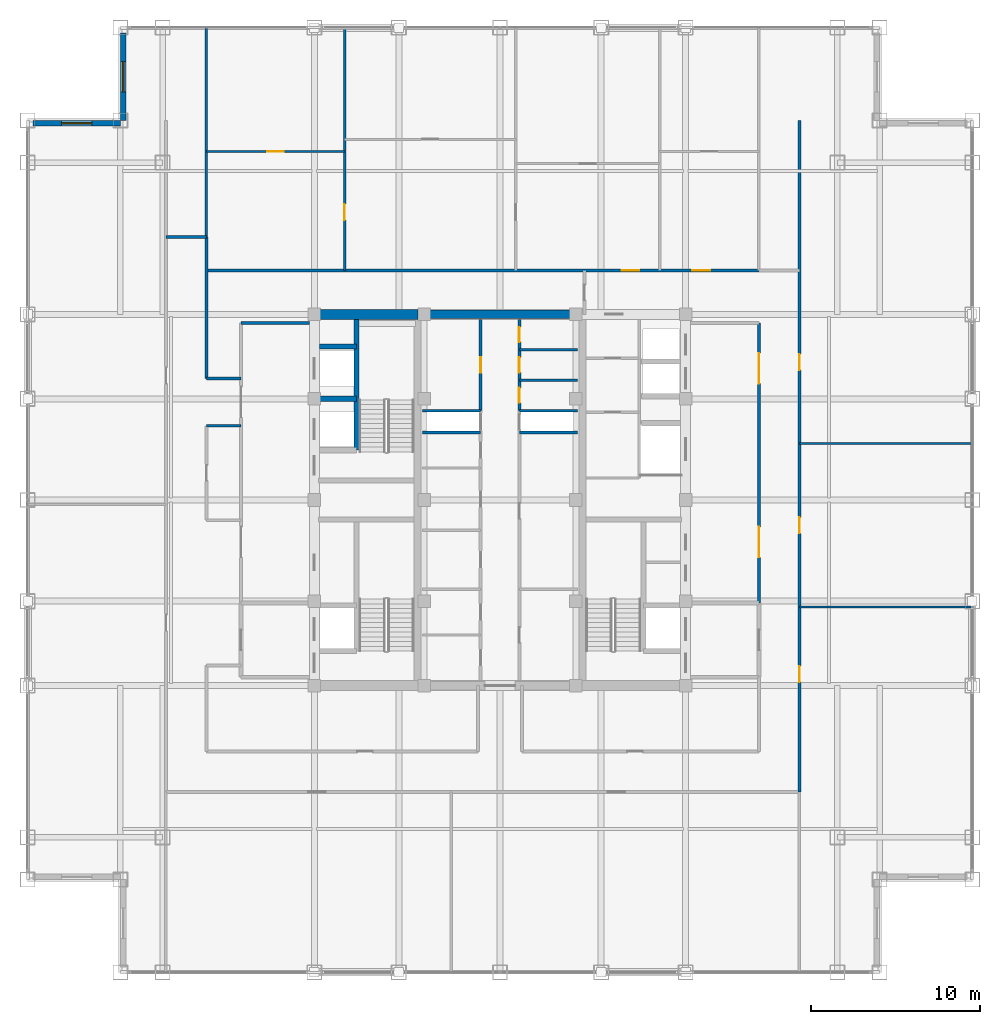
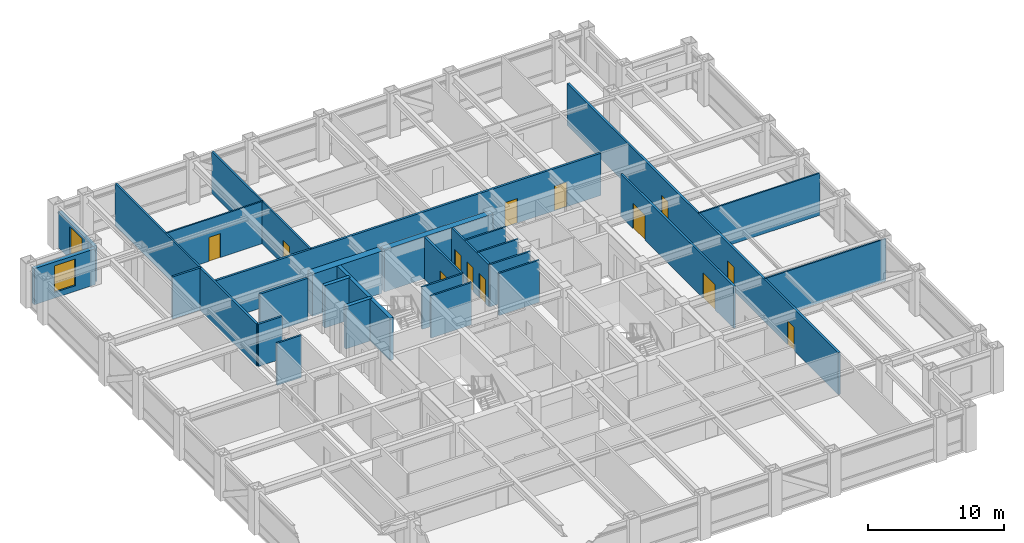
# One storey, part 20 of 22: 28 walls, 13 doors, 2 windows, 15 openings.
"""IFC4 building model written with IfcOpenShell, lengths in metres."""

from ifc_helpers import new_model, si_unit, direction, frame, frame_2d, origin, place, context, subcontext, project, spatial, rectangle, extrude, source, transform, mapped, material, layer, layer_set, type_object, element, fill, save


model = new_model("IFC4")

# Units and contexts
model_context = context("Model", 3, precision=1e-05, world=origin(), true_north=direction((0.0, 1.0)))
body_context = subcontext(model_context, "Body", "Model", "MODEL_VIEW")
ifc_project = project(units=[si_unit("LENGTHUNIT", "METRE"), si_unit("AREAUNIT", "SQUARE_METRE"), si_unit("VOLUMEUNIT", "CUBIC_METRE"), si_unit("PLANEANGLEUNIT", "RADIAN"), si_unit("MASSUNIT", "GRAM", prefix="KILO")], contexts=[model_context])

# Site, building, storey
site_placement = place(None, origin())
site = spatial("IfcSite", under=ifc_project, at=site_placement, CompositionType="ELEMENT")
building_placement = place(site_placement, origin())
building = spatial("IfcBuilding", under=site, at=building_placement, Name="Khorayat Bourse Tower", CompositionType="ELEMENT")
storey_placement = place(building_placement, frame((0.0, 0.0, 305.5)))
storey = spatial("IfcBuildingStorey", under=building, at=storey_placement, Name="L72", CompositionType="ELEMENT", Elevation=305.5)

# Walls
ifc_material_1 = material(Name="Concrete C60/75", Category="concrete")
ifc_layer_1 = layer(ifc_material_1, 0.60009765625)
ifc_layer_set_1 = layer_set([ifc_layer_1], Name="Concrete C60/75")
wall_type_1 = type_object("IfcWallType", Name="WAL-CORE-600", PredefinedType="SHEAR", material=ifc_layer_set_1)
shared_shape_1 = source(origin(), body_context, "Body", "SweptSolid", [
    extrude(rectangle(XDim=5.89990234375, YDim=0.60009765625, at=frame_2d((2.949951171875, 0.0))), origin(), (0.0, 0.0, 1.0), 3.780029296875),
])
wall_1_placement = place(storey_placement, frame((-10.75, 11.0, 0.0), z_axis=(0.0, 0.0, 1.0), x_axis=(1.0, 0.0, 0.0)))
element("IfcWall", 1, at=wall_1_placement, inside=storey, type_object=wall_type_1, Name="L72 Core Shear Wall PIER-WN", PredefinedType="SHEAR", context=body_context, shape_type="MappedRepresentation", body=[
    mapped(shared_shape_1, transform((0.0, 0.0, 0.0), scale=1.0)),
])
ifc_material_2 = material(Name="Concrete C52/65", Category="concrete")
ifc_layer_2 = layer(ifc_material_2, 0.5)
ifc_layer_set_2 = layer_set([ifc_layer_2], Name="Concrete C52/65")
wall_type_2 = type_object("IfcWallType", Name="WAL-CORE-500", PredefinedType="SHEAR", material=ifc_layer_set_2)
shared_shape_2 = source(origin(), body_context, "Body", "SweptSolid", [
    extrude(rectangle(XDim=9.2001953125, YDim=0.5, at=frame_2d((4.60009765625, 0.0))), origin(), (0.0, 0.0, 1.0), 3.780029296875),
])
wall_2_placement = place(storey_placement, frame((-4.60009765625, 11.0, 0.0), z_axis=(0.0, 0.0, 1.0), x_axis=(1.0, 0.0, 0.0)))
element("IfcWall", 2, at=wall_2_placement, inside=storey, type_object=wall_type_2, Name="L72 Core Shear Wall CORE-N", PredefinedType="SHEAR", context=body_context, shape_type="MappedRepresentation", body=[
    mapped(shared_shape_2, transform((0.0, 0.0, 0.0), scale=1.0)),
])

# Wall, opening, window
ifc_material_3 = material(Name="Precast concrete C45/55", Category="concrete")
ifc_layer_3 = layer(ifc_material_3, 0.320068359375)
ifc_layer_set_3 = layer_set([ifc_layer_3], Name="Precast concrete C45/55")
wall_type_3 = type_object("IfcWallType", Name="WAL-EXT-STONE-320", PredefinedType="STANDARD", material=ifc_layer_set_3)
shared_shape_3 = source(origin(), body_context, "Body", "SweptSolid", [
    extrude(rectangle(XDim=5.179931640625, YDim=0.320068359375, at=frame_2d((2.58984375, 0.0))), origin(), (0.0, 0.0, 1.0), 3.23095703125),
])
wall_3_placement = place(storey_placement, frame((-22.340087890625, 22.5, 0.0), z_axis=(0.0, 0.0, 1.0), x_axis=(0.0, 1.0, 0.0)))
wall_3 = element("IfcWall", 3, at=wall_3_placement, inside=storey, type_object=wall_type_3, Name="L72 Re-Entrant Notch Limestone Wall NW-V", PredefinedType="STANDARD", context=body_context, shape_type="MappedRepresentation", body=[
    mapped(shared_shape_3, transform((0.0, 0.0, 0.0), scale=1.0)),
])
shared_shape_4 = source(origin(), body_context, "Body", "SweptSolid", [
    extrude(rectangle(XDim=1.800048828125, YDim=2.39990234375, at=frame_2d((0.89990234375, 1.199951171875))), frame((0.0, 0.169921875, 0.0), z_axis=(0.0, -1.0, 0.0), x_axis=(1.0, 0.0, 0.0)), (0.0, 0.0, 1.0), 0.340087890625),
])
opening_1_placement = place(wall_3_placement, frame((1.68994140625, 0.0, 0.5)))
opening_1 = element("IfcOpeningElement", 4, at=opening_1_placement, cuts=wall_3, Name="Opening WN-04", PredefinedType="OPENING", context=body_context, shape_type="MappedRepresentation", body=[
    mapped(shared_shape_4, transform((0.0, 0.0, 0.0), scale=1.0)),
])
ifc_material_4 = material(Name="Low-E acoustic laminated double glazing", Category="glass")
window_type = type_object("IfcWindowType", Name="WIN-NOTCH-1800x2400", PartitioningType="SINGLE_PANEL", PredefinedType="WINDOW", material=ifc_material_4)
shared_shape_5 = source(origin(), body_context, "Body", "SweptSolid", [
    extrude(rectangle(XDim=1.800048828125, YDim=2.39990234375, at=frame_2d((0.89990234375, 1.199951171875))), frame((0.0, 0.030029296875, 0.0), z_axis=(0.0, -1.0, 0.0), x_axis=(1.0, 0.0, 0.0)), (0.0, 0.0, 1.0), 0.06005859375),
])
window_1_placement = place(opening_1_placement, origin())
window_1 = element("IfcWindow", 5, at=window_1_placement, inside=storey, type_object=window_type, Name="L72 Facade Window 1", OverallHeight=2.39990234375, OverallWidth=1.800048828125, PartitioningType="SINGLE_PANEL", PredefinedType="WINDOW", context=body_context, shape_type="MappedRepresentation", body=[
    mapped(shared_shape_5, transform((0.0, 0.0, 0.0), scale=1.0)),
])
fill(opening_1, window_1)

wall_4_placement = place(storey_placement, frame((-22.5, 22.340087890625, 0.0), z_axis=(0.0, 0.0, 1.0), x_axis=(-1.0, 0.0, 0.0)))
wall_4 = element("IfcWall", 6, at=wall_4_placement, inside=storey, type_object=wall_type_3, Name="L72 Re-Entrant Notch Limestone Wall NW-H", PredefinedType="STANDARD", context=body_context, shape_type="MappedRepresentation", body=[
    mapped(shared_shape_3, transform((0.0, 0.0, 0.0), scale=1.0)),
])
opening_2_placement = place(wall_4_placement, frame((1.68994140625, 0.0, 0.5)))
opening_2 = element("IfcOpeningElement", 7, at=opening_2_placement, cuts=wall_4, Name="Opening WN-04", PredefinedType="OPENING", context=body_context, shape_type="MappedRepresentation", body=[
    mapped(shared_shape_4, transform((0.0, 0.0, 0.0), scale=1.0)),
])
window_2_placement = place(opening_2_placement, origin())
window_2 = element("IfcWindow", 8, at=window_2_placement, inside=storey, type_object=window_type, Name="L72 Facade Window 1", OverallHeight=2.39990234375, OverallWidth=1.800048828125, PartitioningType="SINGLE_PANEL", PredefinedType="WINDOW", context=body_context, shape_type="MappedRepresentation", body=[
    mapped(shared_shape_5, transform((0.0, 0.0, 0.0), scale=1.0)),
])
fill(opening_2, window_2)

# Walls
ifc_material_5 = material(Name="Concrete C50/60", Category="concrete")
ifc_layer_4 = layer(ifc_material_5, 0.300048828125)
ifc_layer_set_4 = layer_set([ifc_layer_4], Name="Concrete C50/60")
wall_type_4 = type_object("IfcWallType", Name="WAL-SHAFT-300", PredefinedType="SHEAR", material=ifc_layer_set_4)
shared_shape_6 = source(origin(), body_context, "Body", "SweptSolid", [
    extrude(rectangle(XDim=2.199951171875, YDim=0.300048828125, at=frame_2d((1.10009765625, 0.0))), origin(), (0.0, 0.0, 1.0), 3.780029296875),
])
for number, where, z_axis, x_axis, name in (
    (9, (-10.699951171875, 6.0, 0.0), (0.0, 0.0, 1.0), (1.0, 0.0, 0.0), "L72 Partition WAL-L72-WPIER-H12"),
    (10, (-10.699951171875, 9.10009765625, 0.0), (0.0, 0.0, 1.0), (1.0, 0.0, 0.0), "L72 Partition WAL-L72-WPIER-H2N"),
):
    element("IfcWall", number, at=place(storey_placement, frame(where, z_axis=z_axis, x_axis=x_axis)), inside=storey, type_object=wall_type_4, Name=name, PredefinedType="SHEAR", context=body_context, shape_type="MappedRepresentation", body=[
        mapped(shared_shape_6, transform((0.0, 0.0, 0.0), scale=1.0)),
    ])
shared_shape_7 = source(origin(), body_context, "Body", "SweptSolid", [
    extrude(rectangle(XDim=7.75, YDim=0.300048828125, at=frame_2d((3.875, 0.0))), origin(), (0.0, 0.0, 1.0), 3.780029296875),
])
wall_5_placement = place(storey_placement, frame((-8.5, 2.949951171875, 0.0), z_axis=(0.0, 0.0, 1.0), x_axis=(0.0, 1.0, 0.0)))
element("IfcWall", 11, at=wall_5_placement, inside=storey, type_object=wall_type_4, Name="L72 Partition WAL-L72-WPIER-ST2S", PredefinedType="SHEAR", context=body_context, shape_type="MappedRepresentation", body=[
    mapped(shared_shape_7, transform((0.0, 0.0, 0.0), scale=1.0)),
])
ifc_material_6 = material(Name="Gypsum plasterboard acoustic stud wall")
ifc_layer_5 = layer(ifc_material_6, 0.179931640625)
ifc_layer_set_5 = layer_set([ifc_layer_5], Name="Gypsum plasterboard acoustic stud wall")
wall_type_5 = type_object("IfcWallType", Name="WAL-PART-CORR-180", PredefinedType="PARTITIONING", material=ifc_layer_set_5)
shared_shape_8 = source(origin(), body_context, "Body", "SweptSolid", [
    extrude(rectangle(XDim=4.050048828125, YDim=0.179931640625, at=frame_2d((2.02490234375, 0.0))), origin(), (0.0, 0.0, 1.0), 3.780029296875),
])
wall_6_placement = place(storey_placement, frame((-15.35009765625, 10.5, 0.0), z_axis=(0.0, 0.0, 1.0), x_axis=(1.0, 0.0, 0.0)))
element("IfcWall", 12, at=wall_6_placement, inside=storey, type_object=wall_type_5, Name="L72 Partition WAL-L72-WLOB-N", PredefinedType="PARTITIONING", context=body_context, shape_type="MappedRepresentation", body=[
    mapped(shared_shape_8, transform((0.0, 0.0, 0.0), scale=1.0)),
])

# Wall, openings, doors
shared_shape_9 = source(origin(), body_context, "Body", "SweptSolid", [
    extrude(rectangle(XDim=16.60009765625, YDim=0.179931640625, at=frame_2d((8.300048828125, 0.0))), origin(), (0.0, 0.0, 1.0), 3.780029296875),
])
wall_7_placement = place(storey_placement, frame((15.35009765625, -6.10009765625, 0.0), z_axis=(0.0, 0.0, 1.0), x_axis=(0.0, 1.0, 0.0)))
wall_7 = element("IfcWall", 13, at=wall_7_placement, inside=storey, type_object=wall_type_5, Name="L72 Partition WAL-L72-ELOB-E", PredefinedType="PARTITIONING", context=body_context, shape_type="MappedRepresentation", body=[
    mapped(shared_shape_9, transform((0.0, 0.0, 0.0), scale=1.0)),
])
shared_shape_10 = source(origin(), body_context, "Body", "SweptSolid", [
    extrude(rectangle(XDim=1.800048828125, YDim=2.25, at=frame_2d((0.89990234375, 1.125))), frame((0.0, 0.099853515625, 0.0), z_axis=(0.0, -1.0, 0.0), x_axis=(1.0, 0.0, 0.0)), (0.0, 0.0, 1.0), 0.199951171875),
])
opening_3_placement = place(wall_7_placement, frame((2.699951171875, 0.0, 0.0)))
opening_3 = element("IfcOpeningElement", 14, at=opening_3_placement, cuts=wall_7, Name="Opening DI-03", PredefinedType="OPENING", context=body_context, shape_type="MappedRepresentation", body=[
    mapped(shared_shape_10, transform((0.0, 0.0, 0.0), scale=1.0)),
])
opening_4_placement = place(wall_7_placement, frame((13.0, 0.0, 0.0)))
opening_4 = element("IfcOpeningElement", 15, at=opening_4_placement, cuts=wall_7, Name="Opening DI-03", PredefinedType="OPENING", context=body_context, shape_type="MappedRepresentation", body=[
    mapped(shared_shape_10, transform((0.0, 0.0, 0.0), scale=1.0)),
])
ifc_material_7 = material(Name="Fire-rated hardwood vision-panel double leaf", Category="wood")
door_type_1 = type_object("IfcDoorType", Name="DR-INT-CORR-1800", OperationType="NOTDEFINED", PredefinedType="DOOR", material=ifc_material_7)
shared_shape_11 = source(origin(), body_context, "Body", "SweptSolid", [
    extrude(rectangle(XDim=1.800048828125, YDim=2.25, at=frame_2d((0.89990234375, 1.125))), frame((0.0, 0.02490234375, 0.0), z_axis=(0.0, -1.0, 0.0), x_axis=(1.0, 0.0, 0.0)), (0.0, 0.0, 1.0), 0.050048828125),
])
door_1_placement = place(opening_3_placement, origin())
door_1 = element("IfcDoor", 16, at=door_1_placement, inside=storey, type_object=door_type_1, Name="L72 East Core Lobby South Door", OperationType="SINGLE_SWING_RIGHT", OverallHeight=2.25, OverallWidth=1.800048828125, PredefinedType="DOOR", context=body_context, shape_type="MappedRepresentation", body=[
    mapped(shared_shape_11, transform((0.0, 0.0, 0.0), scale=1.0)),
])
fill(opening_3, door_1)
door_2_placement = place(opening_4_placement, origin())
door_2 = element("IfcDoor", 17, at=door_2_placement, inside=storey, type_object=door_type_1, Name="L72 East Core Lobby North Door", OperationType="SINGLE_SWING_LEFT", OverallHeight=2.25, OverallWidth=1.800048828125, PredefinedType="DOOR", context=body_context, shape_type="MappedRepresentation", body=[
    mapped(shared_shape_11, transform((0.0, 0.0, 0.0), scale=1.0)),
])
fill(opening_4, door_2)

# Walls
ifc_material_8 = material(Name="Gypsum plasterboard twin-frame partition")
ifc_layer_6 = layer(ifc_material_8, 0.14990234375)
ifc_layer_set_6 = layer_set([ifc_layer_6], Name="Gypsum plasterboard twin-frame partition")
wall_type_6 = type_object("IfcWallType", Name="WAL-PART-SUITE-150", PredefinedType="PARTITIONING", material=ifc_layer_set_6)
shared_shape_12 = source(origin(), body_context, "Body", "SweptSolid", [
    extrude(rectangle(XDim=3.4501953125, YDim=0.14990234375, at=frame_2d((1.72509765625, 0.0))), origin(), (0.0, 0.0, 1.0), 3.780029296875),
])
for number, where, z_axis, x_axis, name in (
    (18, (-4.60009765625, 4.0, 0.0), (0.0, 0.0, 1.0), (1.0, 0.0, 0.0), "L72 Partition WAL-L72-CRSW-S"),
    (19, (1.14990234375, 4.0, 0.0), (0.0, 0.0, 1.0), (1.0, 0.0, 0.0), "L72 Partition WAL-L72-CRSE-S"),
    (20, (-4.60009765625, 5.300048828125, 0.0), (0.0, 0.0, 1.0), (1.0, 0.0, 0.0), "L72 Partition WAL-L72-FB2-SW"),
    (21, (1.14990234375, 5.300048828125, 0.0), (0.0, 0.0, 1.0), (1.0, 0.0, 0.0), "L72 Partition WAL-L72-FB2-SE"),
):
    element("IfcWall", number, at=place(storey_placement, frame(where, z_axis=z_axis, x_axis=x_axis)), inside=storey, type_object=wall_type_6, Name=name, PredefinedType="PARTITIONING", context=body_context, shape_type="MappedRepresentation", body=[
        mapped(shared_shape_12, transform((0.0, 0.0, 0.0), scale=1.0)),
    ])

# Wall, opening, door
shared_shape_13 = source(origin(), body_context, "Body", "SweptSolid", [
    extrude(rectangle(XDim=5.39990234375, YDim=0.179931640625, at=frame_2d((2.699951171875, 0.0))), origin(), (0.0, 0.0, 1.0), 3.780029296875),
])
wall_8_placement = place(storey_placement, frame((-1.14990234375, 5.300048828125, 0.0), z_axis=(0.0, 0.0, 1.0), x_axis=(0.0, 1.0, 0.0)))
wall_8 = element("IfcWall", 22, at=wall_8_placement, inside=storey, type_object=wall_type_5, Name="L72 Partition WAL-L72-FB2W-L", PredefinedType="PARTITIONING", context=body_context, shape_type="MappedRepresentation", body=[
    mapped(shared_shape_13, transform((0.0, 0.0, 0.0), scale=1.0)),
])
shared_shape_14 = source(origin(), body_context, "Body", "SweptSolid", [
    extrude(rectangle(XDim=0.89990234375, YDim=2.14990234375, at=frame_2d((0.449951171875, 1.074951171875))), frame((0.0, 0.099853515625, 0.0), z_axis=(0.0, -1.0, 0.0), x_axis=(1.0, 0.0, 0.0)), (0.0, 0.0, 1.0), 0.199951171875),
])
opening_5_placement = place(wall_8_placement, frame((2.25, 0.0, 0.0)))
opening_5 = element("IfcOpeningElement", 23, at=opening_5_placement, cuts=wall_8, Name="Opening DI-06", PredefinedType="OPENING", context=body_context, shape_type="MappedRepresentation", body=[
    mapped(shared_shape_14, transform((0.0, 0.0, 0.0), scale=1.0)),
])
ifc_material_9 = material(Name="Moisture-resistant laminate washroom door")
door_type_2 = type_object("IfcDoorType", Name="DR-INT-WC-900", OperationType="NOTDEFINED", PredefinedType="DOOR", material=ifc_material_9)
shared_shape_15 = source(origin(), body_context, "Body", "SweptSolid", [
    extrude(rectangle(XDim=0.89990234375, YDim=2.14990234375, at=frame_2d((0.449951171875, 1.074951171875))), frame((0.0, 0.02490234375, 0.0), z_axis=(0.0, -1.0, 0.0), x_axis=(1.0, 0.0, 0.0)), (0.0, 0.0, 1.0), 0.050048828125),
])
door_3_placement = place(opening_5_placement, origin())
door_3 = element("IfcDoor", 24, at=door_3_placement, inside=storey, type_object=door_type_2, Name="L72 Executive Archive Vault Door", OperationType="SINGLE_SWING_RIGHT", OverallHeight=2.14990234375, OverallWidth=0.89990234375, PredefinedType="DOOR", context=body_context, shape_type="MappedRepresentation", body=[
    mapped(shared_shape_15, transform((0.0, 0.0, 0.0), scale=1.0)),
])
fill(opening_5, door_3)

# Wall, openings, doors
wall_9_placement = place(storey_placement, frame((1.14990234375, 5.300048828125, 0.0), z_axis=(0.0, 0.0, 1.0), x_axis=(0.0, 1.0, 0.0)))
wall_9 = element("IfcWall", 25, at=wall_9_placement, inside=storey, type_object=wall_type_5, Name="L72 Partition WAL-L72-FB2E-L", PredefinedType="PARTITIONING", context=body_context, shape_type="MappedRepresentation", body=[
    mapped(shared_shape_13, transform((0.0, 0.0, 0.0), scale=1.0)),
])
opening_6_placement = place(wall_9_placement, frame((0.449951171875, 0.0, 0.0)))
opening_6 = element("IfcOpeningElement", 26, at=opening_6_placement, cuts=wall_9, Name="Opening DI-06", PredefinedType="OPENING", context=body_context, shape_type="MappedRepresentation", body=[
    mapped(shared_shape_14, transform((0.0, 0.0, 0.0), scale=1.0)),
])
opening_7_placement = place(wall_9_placement, frame((2.25, 0.0, 0.0)))
opening_7 = element("IfcOpeningElement", 27, at=opening_7_placement, cuts=wall_9, Name="Opening DI-06", PredefinedType="OPENING", context=body_context, shape_type="MappedRepresentation", body=[
    mapped(shared_shape_14, transform((0.0, 0.0, 0.0), scale=1.0)),
])
opening_8_placement = place(wall_9_placement, frame((4.050048828125, 0.0, 0.0)))
opening_8 = element("IfcOpeningElement", 28, at=opening_8_placement, cuts=wall_9, Name="Opening DI-06", PredefinedType="OPENING", context=body_context, shape_type="MappedRepresentation", body=[
    mapped(shared_shape_14, transform((0.0, 0.0, 0.0), scale=1.0)),
])
door_4_placement = place(opening_6_placement, origin())
door_4 = element("IfcDoor", 29, at=door_4_placement, inside=storey, type_object=door_type_2, Name="L72 Facility Store A Door", OperationType="SINGLE_SWING_RIGHT", OverallHeight=2.14990234375, OverallWidth=0.89990234375, PredefinedType="DOOR", context=body_context, shape_type="MappedRepresentation", body=[
    mapped(shared_shape_15, transform((0.0, 0.0, 0.0), scale=1.0)),
])
fill(opening_6, door_4)
door_5_placement = place(opening_7_placement, origin())
door_5 = element("IfcDoor", 30, at=door_5_placement, inside=storey, type_object=door_type_2, Name="L72 BMS Closet Door", OperationType="SINGLE_SWING_LEFT", OverallHeight=2.14990234375, OverallWidth=0.89990234375, PredefinedType="DOOR", context=body_context, shape_type="MappedRepresentation", body=[
    mapped(shared_shape_15, transform((0.0, 0.0, 0.0), scale=1.0)),
])
fill(opening_7, door_5)
door_6_placement = place(opening_8_placement, origin())
door_6 = element("IfcDoor", 31, at=door_6_placement, inside=storey, type_object=door_type_2, Name="L72 Facility Store B Door", OperationType="SINGLE_SWING_RIGHT", OverallHeight=2.14990234375, OverallWidth=0.89990234375, PredefinedType="DOOR", context=body_context, shape_type="MappedRepresentation", body=[
    mapped(shared_shape_15, transform((0.0, 0.0, 0.0), scale=1.0)),
])
fill(opening_8, door_6)

# Walls
ifc_material_10 = material(Name="Moisture-resistant masonry partition", Category="masonry")
ifc_layer_7 = layer(ifc_material_10, 0.139892578125)
ifc_layer_set_7 = layer_set([ifc_layer_7], Name="Moisture-resistant masonry partition")
wall_type_7 = type_object("IfcWallType", Name="WAL-PART-WET-140", PredefinedType="PARTITIONING", material=ifc_layer_set_7)
shared_shape_16 = source(origin(), body_context, "Body", "SweptSolid", [
    extrude(rectangle(XDim=3.4501953125, YDim=0.139892578125, at=frame_2d((1.72509765625, 0.0))), origin(), (0.0, 0.0, 1.0), 3.780029296875),
])
for number, where, z_axis, x_axis, name in (
    (32, (1.14990234375, 7.10009765625, 0.0), (0.0, 0.0, 1.0), (1.0, 0.0, 0.0), "L72 Partition WAL-L72-FB2E-D1"),
    (33, (1.14990234375, 8.89990234375, 0.0), (0.0, 0.0, 1.0), (1.0, 0.0, 0.0), "L72 Partition WAL-L72-FB2E-D2"),
):
    element("IfcWall", number, at=place(storey_placement, frame(where, z_axis=z_axis, x_axis=x_axis)), inside=storey, type_object=wall_type_7, Name=name, PredefinedType="PARTITIONING", context=body_context, shape_type="MappedRepresentation", body=[
        mapped(shared_shape_16, transform((0.0, 0.0, 0.0), scale=1.0)),
    ])
shared_shape_17 = source(origin(), body_context, "Body", "SweptSolid", [
    extrude(rectangle(XDim=2.0498046875, YDim=0.14990234375, at=frame_2d((1.02490234375, 0.0))), origin(), (0.0, 0.0, 1.0), 3.780029296875),
])
wall_10_placement = place(storey_placement, frame((-17.39990234375, 4.39990234375, 0.0), z_axis=(0.0, 0.0, 1.0), x_axis=(1.0, 0.0, 0.0)))
element("IfcWall", 34, at=wall_10_placement, inside=storey, type_object=wall_type_6, Name="L72 Partition WAL-L72-PKWM-N", PredefinedType="PARTITIONING", context=body_context, shape_type="MappedRepresentation", body=[
    mapped(shared_shape_17, transform((0.0, 0.0, 0.0), scale=1.0)),
])
shared_shape_18 = source(origin(), body_context, "Body", "SweptSolid", [
    extrude(rectangle(XDim=2.0498046875, YDim=0.179931640625, at=frame_2d((1.02490234375, 0.0))), origin(), (0.0, 0.0, 1.0), 3.780029296875),
])
wall_11_placement = place(storey_placement, frame((-17.39990234375, 7.199951171875, 0.0), z_axis=(0.0, 0.0, 1.0), x_axis=(1.0, 0.0, 0.0)))
element("IfcWall", 35, at=wall_11_placement, inside=storey, type_object=wall_type_5, Name="L72 Partition WAL-L72-THRWN-T", PredefinedType="PARTITIONING", context=body_context, shape_type="MappedRepresentation", body=[
    mapped(shared_shape_18, transform((0.0, 0.0, 0.0), scale=1.0)),
])
shared_shape_19 = source(origin(), body_context, "Body", "SweptSolid", [
    extrude(rectangle(XDim=8.400146484375, YDim=0.179931640625, at=frame_2d((4.2001953125, 0.0))), origin(), (0.0, 0.0, 1.0), 3.780029296875),
])
wall_12_placement = place(storey_placement, frame((-17.39990234375, 7.199951171875, 0.0), z_axis=(0.0, 0.0, 1.0), x_axis=(0.0, 1.0, 0.0)))
element("IfcWall", 36, at=wall_12_placement, inside=storey, type_object=wall_type_5, Name="L72 Partition WAL-L72-THRWN-N", PredefinedType="PARTITIONING", context=body_context, shape_type="MappedRepresentation", body=[
    mapped(shared_shape_19, transform((0.0, 0.0, 0.0), scale=1.0)),
])
shared_shape_20 = source(origin(), body_context, "Body", "SweptSolid", [
    extrude(rectangle(XDim=2.400146484375, YDim=0.179931640625, at=frame_2d((1.2001953125, 0.0))), origin(), (0.0, 0.0, 1.0), 3.780029296875),
])
wall_13_placement = place(storey_placement, frame((-19.800048828125, 15.60009765625, 0.0), z_axis=(0.0, 0.0, 1.0), x_axis=(1.0, 0.0, 0.0)))
element("IfcWall", 37, at=wall_13_placement, inside=storey, type_object=wall_type_5, Name="L72 Partition WAL-L72-GALW-N", PredefinedType="PARTITIONING", context=body_context, shape_type="MappedRepresentation", body=[
    mapped(shared_shape_20, transform((0.0, 0.0, 0.0), scale=1.0)),
])

# Wall, openings, doors
shared_shape_21 = source(origin(), body_context, "Body", "SweptSolid", [
    extrude(rectangle(XDim=32.75, YDim=0.179931640625, at=frame_2d((16.375, 0.0))), origin(), (0.0, 0.0, 1.0), 3.780029296875),
])
wall_14_placement = place(storey_placement, frame((-17.39990234375, 13.60009765625, 0.0), z_axis=(0.0, 0.0, 1.0), x_axis=(1.0, 0.0, 0.0)))
wall_14 = element("IfcWall", 38, at=wall_14_placement, inside=storey, type_object=wall_type_5, Name="L72 Partition WAL-L72-NCORR", PredefinedType="PARTITIONING", context=body_context, shape_type="MappedRepresentation", body=[
    mapped(shared_shape_21, transform((0.0, 0.0, 0.0), scale=1.0)),
])
shared_shape_22 = source(origin(), body_context, "Body", "SweptSolid", [
    extrude(rectangle(XDim=1.050048828125, YDim=2.199951171875, at=frame_2d((0.52490234375, 1.10009765625))), frame((0.0, 0.099853515625, 0.0), z_axis=(0.0, -1.0, 0.0), x_axis=(1.0, 0.0, 0.0)), (0.0, 0.0, 1.0), 0.199951171875),
])
opening_9_placement = place(wall_14_placement, frame((24.6025390625, 0.0, 0.0)))
opening_9 = element("IfcOpeningElement", 39, at=opening_9_placement, cuts=wall_14, Name="Opening DI-04", PredefinedType="OPENING", context=body_context, shape_type="MappedRepresentation", body=[
    mapped(shared_shape_22, transform((0.0, 0.0, 0.0), scale=1.0)),
])
opening_10_placement = place(wall_14_placement, frame((28.802490234375, 0.0, 0.0)))
opening_10 = element("IfcOpeningElement", 40, at=opening_10_placement, cuts=wall_14, Name="Opening DI-04", PredefinedType="OPENING", context=body_context, shape_type="MappedRepresentation", body=[
    mapped(shared_shape_22, transform((0.0, 0.0, 0.0), scale=1.0)),
])
ifc_material_11 = material(Name="Fire-rated oak veneer suite entrance door")
door_type_3 = type_object("IfcDoorType", Name="DR-INT-SUITE-1050", OperationType="NOTDEFINED", PredefinedType="DOOR", material=ifc_material_11)
shared_shape_23 = source(origin(), body_context, "Body", "SweptSolid", [
    extrude(rectangle(XDim=1.050048828125, YDim=2.199951171875, at=frame_2d((0.52490234375, 1.10009765625))), frame((0.0, 0.02490234375, 0.0), z_axis=(0.0, -1.0, 0.0), x_axis=(1.0, 0.0, 0.0)), (0.0, 0.0, 1.0), 0.050048828125),
])
door_7_placement = place(opening_9_placement, origin())
door_7 = element("IfcDoor", 41, at=door_7_placement, inside=storey, type_object=door_type_3, Name="L72 Staff Tea Pantry N3 Door", OperationType="SINGLE_SWING_RIGHT", OverallHeight=2.199951171875, OverallWidth=1.050048828125, PredefinedType="DOOR", context=body_context, shape_type="MappedRepresentation", body=[
    mapped(shared_shape_23, transform((0.0, 0.0, 0.0), scale=1.0)),
])
fill(opening_9, door_7)
door_8_placement = place(opening_10_placement, origin())
door_8 = element("IfcDoor", 42, at=door_8_placement, inside=storey, type_object=door_type_3, Name="L72 Clearing Operations Office N4 Door", OperationType="SINGLE_SWING_LEFT", OverallHeight=2.199951171875, OverallWidth=1.050048828125, PredefinedType="DOOR", context=body_context, shape_type="MappedRepresentation", body=[
    mapped(shared_shape_23, transform((0.0, 0.0, 0.0), scale=1.0)),
])
fill(opening_10, door_8)

# Wall
shared_shape_24 = source(origin(), body_context, "Body", "SweptSolid", [
    extrude(rectangle(XDim=12.39990234375, YDim=0.14990234375, at=frame_2d((6.199951171875, 0.0))), origin(), (0.0, 0.0, 1.0), 3.780029296875),
])
wall_15_placement = place(storey_placement, frame((-17.39990234375, 15.60009765625, 0.0), z_axis=(0.0, 0.0, 1.0), x_axis=(0.0, 1.0, 0.0)))
element("IfcWall", 43, at=wall_15_placement, inside=storey, type_object=wall_type_6, Name="L72 Partition WAL-L72-NCW-END", PredefinedType="PARTITIONING", context=body_context, shape_type="MappedRepresentation", body=[
    mapped(shared_shape_24, transform((0.0, 0.0, 0.0), scale=1.0)),
])

# Wall, opening, door
shared_shape_25 = source(origin(), body_context, "Body", "SweptSolid", [
    extrude(rectangle(XDim=14.39990234375, YDim=0.14990234375, at=frame_2d((7.199951171875, 0.0))), origin(), (0.0, 0.0, 1.0), 3.780029296875),
])
wall_16_placement = place(storey_placement, frame((-9.21240234375, 13.60009765625, 0.0), z_axis=(0.0, 0.0, 1.0), x_axis=(0.0, 1.0, 0.0)))
wall_16 = element("IfcWall", 44, at=wall_16_placement, inside=storey, type_object=wall_type_6, Name="L72 Partition WAL-L72-NDV-1", PredefinedType="PARTITIONING", context=body_context, shape_type="MappedRepresentation", body=[
    mapped(shared_shape_25, transform((0.0, 0.0, 0.0), scale=1.0)),
])
shared_shape_26 = source(origin(), body_context, "Body", "SweptSolid", [
    extrude(rectangle(XDim=0.949951171875, YDim=2.14990234375, at=frame_2d((0.47509765625, 1.074951171875))), frame((0.0, 0.0849609375, 0.0), z_axis=(0.0, -1.0, 0.0), x_axis=(1.0, 0.0, 0.0)), (0.0, 0.0, 1.0), 0.169921875),
])
opening_11_placement = place(wall_16_placement, frame((2.98095703125, 0.0, 0.0)))
opening_11 = element("IfcOpeningElement", 45, at=opening_11_placement, cuts=wall_16, Name="Opening DI-05", PredefinedType="OPENING", context=body_context, shape_type="MappedRepresentation", body=[
    mapped(shared_shape_26, transform((0.0, 0.0, 0.0), scale=1.0)),
])
ifc_material_12 = material(Name="Acoustic oak veneer office door")
door_type_4 = type_object("IfcDoorType", Name="DR-INT-OFFICE-950", OperationType="NOTDEFINED", PredefinedType="DOOR", material=ifc_material_12)
shared_shape_27 = source(origin(), body_context, "Body", "SweptSolid", [
    extrude(rectangle(XDim=0.949951171875, YDim=2.14990234375, at=frame_2d((0.47509765625, 1.074951171875))), frame((0.0, 0.02490234375, 0.0), z_axis=(0.0, -1.0, 0.0), x_axis=(1.0, 0.0, 0.0)), (0.0, 0.0, 1.0), 0.050048828125),
])
door_9_placement = place(opening_11_placement, origin())
door_9 = element("IfcDoor", 46, at=door_9_placement, inside=storey, type_object=door_type_4, Name="L72 N Suite Link 1", OperationType="SINGLE_SWING_RIGHT", OverallHeight=2.14990234375, OverallWidth=0.949951171875, PredefinedType="DOOR", context=body_context, shape_type="MappedRepresentation", body=[
    mapped(shared_shape_27, transform((0.0, 0.0, 0.0), scale=1.0)),
])
fill(opening_11, door_9)

# Walls
ifc_material_13 = material(Name="Gypsum plasterboard partition")
ifc_layer_8 = layer(ifc_material_13, 0.125)
ifc_layer_set_8 = layer_set([ifc_layer_8], Name="Gypsum plasterboard partition")
wall_type_8 = type_object("IfcWallType", Name="WAL-PART-ROOM-125", PredefinedType="PARTITIONING", material=ifc_layer_set_8)
shared_shape_28 = source(origin(), body_context, "Body", "SweptSolid", [
    extrude(rectangle(XDim=10.25, YDim=0.125, at=frame_2d((5.125, 0.0))), origin(), (0.0, 0.0, 1.0), 3.780029296875),
])
for number, where, z_axis, x_axis, name in (
    (47, (17.75, -6.35009765625, 0.0), (0.0, 0.0, 1.0), (1.0, 0.0, 0.0), "L72 Partition WAL-L72-EDV-1"),
    (48, (17.75, 3.340087890625, 0.0), (0.0, 0.0, 1.0), (1.0, 0.0, 0.0), "L72 Partition WAL-L72-EDV-2"),
):
    element("IfcWall", number, at=place(storey_placement, frame(where, z_axis=z_axis, x_axis=x_axis)), inside=storey, type_object=wall_type_8, Name=name, PredefinedType="PARTITIONING", context=body_context, shape_type="MappedRepresentation", body=[
        mapped(shared_shape_28, transform((0.0, 0.0, 0.0), scale=1.0)),
    ])

# Wall, opening, door
shared_shape_29 = source(origin(), body_context, "Body", "SweptSolid", [
    extrude(rectangle(XDim=8.1875, YDim=0.125, at=frame_2d((4.09375, 0.0))), origin(), (0.0, 0.0, 1.0), 3.780029296875),
])
wall_17_placement = place(storey_placement, frame((-17.39990234375, 20.656005859375, 0.0), z_axis=(0.0, 0.0, 1.0), x_axis=(1.0, 0.0, 0.0)))
wall_17 = element("IfcWall", 49, at=wall_17_placement, inside=storey, type_object=wall_type_8, Name="L72 Partition WAL-L72-NDP-1", PredefinedType="PARTITIONING", context=body_context, shape_type="MappedRepresentation", body=[
    mapped(shared_shape_29, transform((0.0, 0.0, 0.0), scale=1.0)),
])
shared_shape_30 = source(origin(), body_context, "Body", "SweptSolid", [
    extrude(rectangle(XDim=0.949951171875, YDim=2.14990234375, at=frame_2d((0.47509765625, 1.074951171875))), frame((0.0, 0.072509765625, 0.0), z_axis=(0.0, -1.0, 0.0), x_axis=(1.0, 0.0, 0.0)), (0.0, 0.0, 1.0), 0.14501953125),
])
opening_12_placement = place(wall_17_placement, frame((3.618896484375, 0.0, 0.0)))
opening_12 = element("IfcOpeningElement", 50, at=opening_12_placement, cuts=wall_17, Name="Opening DI-05", PredefinedType="OPENING", context=body_context, shape_type="MappedRepresentation", body=[
    mapped(shared_shape_30, transform((0.0, 0.0, 0.0), scale=1.0)),
])
door_10_placement = place(opening_12_placement, origin())
door_10 = element("IfcDoor", 51, at=door_10_placement, inside=storey, type_object=door_type_4, Name="L72 Members Club Room N1B Door", OperationType="SINGLE_SWING_RIGHT", OverallHeight=2.14990234375, OverallWidth=0.949951171875, PredefinedType="DOOR", context=body_context, shape_type="MappedRepresentation", body=[
    mapped(shared_shape_27, transform((0.0, 0.0, 0.0), scale=1.0)),
])
fill(opening_12, door_10)

# Wall, openings, doors
shared_shape_31 = source(origin(), body_context, "Body", "SweptSolid", [
    extrude(rectangle(XDim=39.800048828125, YDim=0.179931640625, at=frame_2d((19.89990234375, 0.0))), origin(), (0.0, 0.0, 1.0), 3.780029296875),
])
wall_18_placement = place(storey_placement, frame((17.75, -17.300048828125, 0.0), z_axis=(0.0, 0.0, 1.0), x_axis=(0.0, 1.0, 0.0)))
wall_18 = element("IfcWall", 52, at=wall_18_placement, inside=storey, type_object=wall_type_5, Name="L72 Partition WAL-L72-ECORR", PredefinedType="PARTITIONING", context=body_context, shape_type="MappedRepresentation", body=[
    mapped(shared_shape_31, transform((0.0, 0.0, 0.0), scale=1.0)),
])
shared_shape_32 = source(origin(), body_context, "Body", "SweptSolid", [
    extrude(rectangle(XDim=0.949951171875, YDim=2.14990234375, at=frame_2d((0.47509765625, 1.074951171875))), frame((0.0, 0.099853515625, 0.0), z_axis=(0.0, -1.0, 0.0), x_axis=(1.0, 0.0, 0.0)), (0.0, 0.0, 1.0), 0.199951171875),
])
opening_13_placement = place(wall_18_placement, frame((6.5, 0.0, 0.0)))
opening_13 = element("IfcOpeningElement", 53, at=opening_13_placement, cuts=wall_18, Name="Opening DI-05", PredefinedType="OPENING", context=body_context, shape_type="MappedRepresentation", body=[
    mapped(shared_shape_32, transform((0.0, 0.0, 0.0), scale=1.0)),
])
opening_14_placement = place(wall_18_placement, frame((15.320068359375, 0.0, 0.0)))
opening_14 = element("IfcOpeningElement", 54, at=opening_14_placement, cuts=wall_18, Name="Opening DI-05", PredefinedType="OPENING", context=body_context, shape_type="MappedRepresentation", body=[
    mapped(shared_shape_32, transform((0.0, 0.0, 0.0), scale=1.0)),
])
opening_15_placement = place(wall_18_placement, frame((24.9951171875, 0.0, 0.0)))
opening_15 = element("IfcOpeningElement", 55, at=opening_15_placement, cuts=wall_18, Name="Opening DI-05", PredefinedType="OPENING", context=body_context, shape_type="MappedRepresentation", body=[
    mapped(shared_shape_32, transform((0.0, 0.0, 0.0), scale=1.0)),
])
door_11_placement = place(opening_13_placement, origin())
door_11 = element("IfcDoor", 56, at=door_11_placement, inside=storey, type_object=door_type_4, Name="L72 Brokerage Member Kiosk E1 Door", OperationType="SINGLE_SWING_RIGHT", OverallHeight=2.14990234375, OverallWidth=0.949951171875, PredefinedType="DOOR", context=body_context, shape_type="MappedRepresentation", body=[
    mapped(shared_shape_27, transform((0.0, 0.0, 0.0), scale=1.0)),
])
fill(opening_13, door_11)
door_12_placement = place(opening_14_placement, origin())
door_12 = element("IfcDoor", 57, at=door_12_placement, inside=storey, type_object=door_type_4, Name="L72 Floor Reception Concierge E2 Door", OperationType="SINGLE_SWING_LEFT", OverallHeight=2.14990234375, OverallWidth=0.949951171875, PredefinedType="DOOR", context=body_context, shape_type="MappedRepresentation", body=[
    mapped(shared_shape_27, transform((0.0, 0.0, 0.0), scale=1.0)),
])
fill(opening_14, door_12)
door_13_placement = place(opening_15_placement, origin())
door_13 = element("IfcDoor", 58, at=door_13_placement, inside=storey, type_object=door_type_4, Name="L72 Members Club Room E3 Door", OperationType="SINGLE_SWING_RIGHT", OverallHeight=2.14990234375, OverallWidth=0.949951171875, PredefinedType="DOOR", context=body_context, shape_type="MappedRepresentation", body=[
    mapped(shared_shape_27, transform((0.0, 0.0, 0.0), scale=1.0)),
])
fill(opening_15, door_13)

save(model, "model.ifc")
